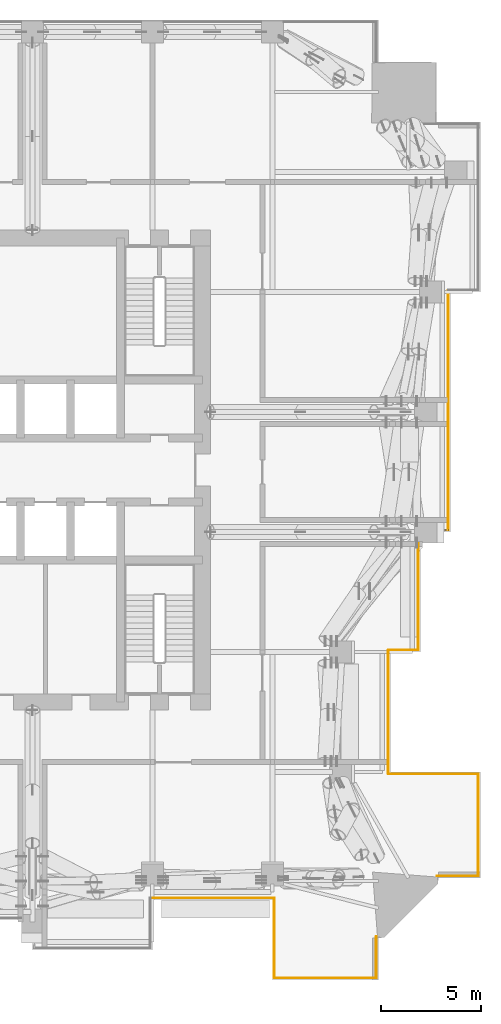
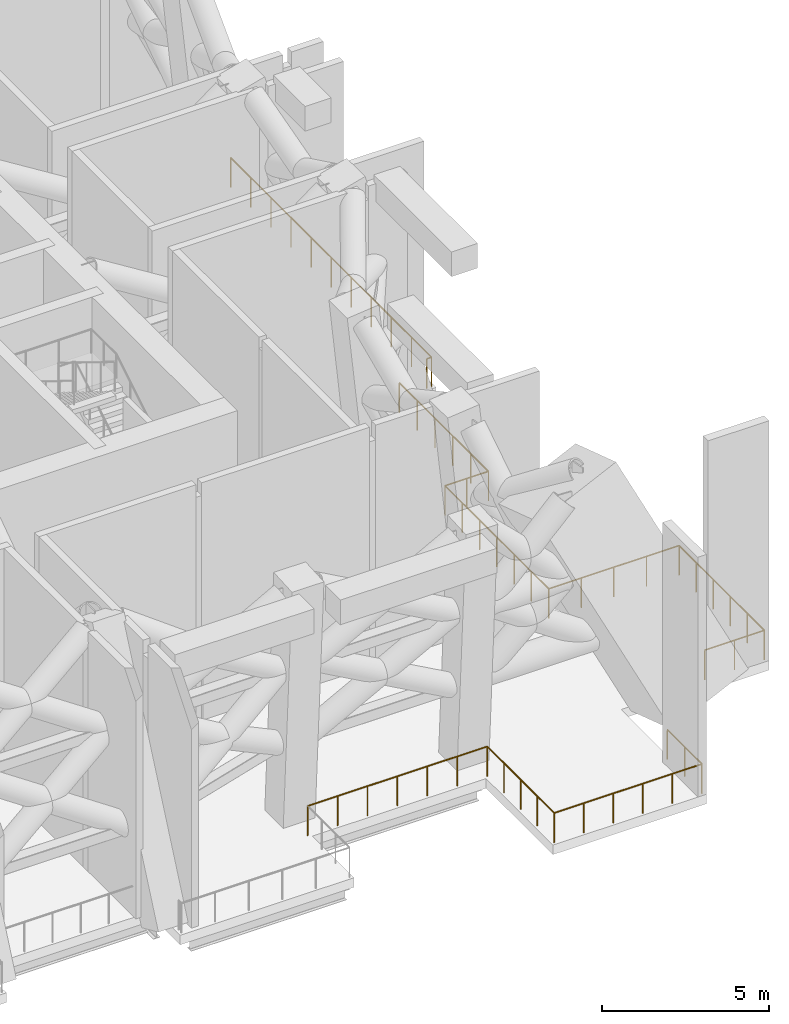
# One storey, part 17 of 19: 12 railings.
"""IFC4 building model written with IfcOpenShell, lengths in metres."""

from ifc_helpers import new_model, si_unit, direction, frame, origin, origin_2d, place, context, subcontext, project, spatial, circle, extrude, material, type_object, element, save


model = new_model("IFC4")

# Units and contexts
model_context = context("Model", 3, precision=1e-05, world=origin(), true_north=direction((0.0, 1.0)))
body_context = subcontext(model_context, "Body", "Model", "MODEL_VIEW")
ifc_project = project(units=[si_unit("LENGTHUNIT", "METRE"), si_unit("AREAUNIT", "SQUARE_METRE"), si_unit("VOLUMEUNIT", "CUBIC_METRE"), si_unit("PLANEANGLEUNIT", "RADIAN"), si_unit("MASSUNIT", "GRAM", prefix="KILO")], contexts=[model_context])

# Site, building, storey
site_placement = place(None, origin())
site = spatial("IfcSite", under=ifc_project, at=site_placement, CompositionType="ELEMENT")
building_placement = place(site_placement, origin())
building = spatial("IfcBuilding", under=site, at=building_placement, Name="Amberfall Residences", CompositionType="ELEMENT")
storey_placement = place(building_placement, frame((0.0, 0.0, 124.89990234375)))
storey = spatial("IfcBuildingStorey", under=building, at=storey_placement, Name="L34", CompositionType="ELEMENT", Elevation=124.89990234375)

# Railings
ifc_material = material(Name="Bronze anodised aluminium and laminated glass", Category="aluminium")
railing_type = type_object("IfcRailingType", Name="Refuge edge guard 1100", PredefinedType="GUARDRAIL", material=ifc_material)
railing_1_placement = place(storey_placement, frame((94.800048828125, 20.10009765625, 0.0)))
element("IfcRailing", 1, at=railing_1_placement, inside=storey, type_object=railing_type, Name="Refuge edge guard L34 1", PredefinedType="GUARDRAIL", context=body_context, shape_type="SweptSolid", body=[
    extrude(circle(Radius=0.02392578125, at=origin_2d()), frame((0.0, 0.0, 1.076171875), z_axis=(-1.0, 0.0, 0.0), x_axis=(0.0, -1.0, 0.0)), (0.0, 0.0, 1.0), 5.10009765625),
    extrude(circle(Radius=0.02099609375, at=origin_2d()), origin(), (0.0, 0.0, 1.0), 1.052001953125),
    extrude(circle(Radius=0.02099609375, at=origin_2d()), frame((-1.02001953125, 0.0, 0.0)), (0.0, 0.0, 1.0), 1.052001953125),
    extrude(circle(Radius=0.02099609375, at=origin_2d()), frame((-2.0400390625, 0.0, 0.0)), (0.0, 0.0, 1.0), 1.052001953125),
    extrude(circle(Radius=0.02099609375, at=origin_2d()), frame((-3.06005859375, 0.0, 0.0)), (0.0, 0.0, 1.0), 1.052001953125),
    extrude(circle(Radius=0.02099609375, at=origin_2d()), frame((-4.080078125, 0.0, 0.0)), (0.0, 0.0, 1.0), 1.052001953125),
    extrude(circle(Radius=0.02099609375, at=origin_2d()), frame((-5.10009765625, 0.0, 0.0)), (0.0, 0.0, 1.0), 1.052001953125),
])
railing_2_placement = place(storey_placement, frame((89.699951171875, 20.10009765625, 0.0)))
element("IfcRailing", 2, at=railing_2_placement, inside=storey, type_object=railing_type, Name="Refuge edge guard L34 2", PredefinedType="GUARDRAIL", context=body_context, shape_type="SweptSolid", body=[
    extrude(circle(Radius=0.02392578125, at=origin_2d()), frame((0.0, 0.0, 1.076171875), z_axis=(0.0, 1.0, 0.0), x_axis=(-1.0, 0.0, 0.0)), (0.0, 0.0, 1.0), 4.0),
    extrude(circle(Radius=0.02099609375, at=origin_2d()), origin(), (0.0, 0.0, 1.0), 1.052001953125),
    extrude(circle(Radius=0.02099609375, at=origin_2d()), frame((0.0, 1.0, 0.0)), (0.0, 0.0, 1.0), 1.052001953125),
    extrude(circle(Radius=0.02099609375, at=origin_2d()), frame((0.0, 2.0, 0.0)), (0.0, 0.0, 1.0), 1.052001953125),
    extrude(circle(Radius=0.02099609375, at=origin_2d()), frame((0.0, 3.0, 0.0)), (0.0, 0.0, 1.0), 1.052001953125),
    extrude(circle(Radius=0.02099609375, at=origin_2d()), frame((0.0, 4.0, 0.0)), (0.0, 0.0, 1.0), 1.052001953125),
])
railing_3_placement = place(storey_placement, frame((89.699951171875, 24.10009765625, 0.0)))
element("IfcRailing", 3, at=railing_3_placement, inside=storey, type_object=railing_type, Name="Refuge edge guard L34 3", PredefinedType="GUARDRAIL", context=body_context, shape_type="SweptSolid", body=[
    extrude(circle(Radius=0.02392578125, at=origin_2d()), frame((0.0, 0.0, 1.076171875), z_axis=(-1.0, 0.0, 0.0), x_axis=(0.0, -1.0, 0.0)), (0.0, 0.0, 1.0), 6.199951171875),
    extrude(circle(Radius=0.02099609375, at=origin_2d()), origin(), (0.0, 0.0, 1.0), 1.052001953125),
    extrude(circle(Radius=0.02099609375, at=origin_2d()), frame((-1.033203125, 0.0, 0.0)), (0.0, 0.0, 1.0), 1.052001953125),
    extrude(circle(Radius=0.02099609375, at=origin_2d()), frame((-2.066650390625, 0.0, 0.0)), (0.0, 0.0, 1.0), 1.052001953125),
    extrude(circle(Radius=0.02099609375, at=origin_2d()), frame((-3.10009765625, 0.0, 0.0)), (0.0, 0.0, 1.0), 1.052001953125),
    extrude(circle(Radius=0.02099609375, at=origin_2d()), frame((-4.13330078125, 0.0, 0.0)), (0.0, 0.0, 1.0), 1.052001953125),
    extrude(circle(Radius=0.02099609375, at=origin_2d()), frame((-5.16650390625, 0.0, 0.0)), (0.0, 0.0, 1.0), 1.052001953125),
    extrude(circle(Radius=0.02099609375, at=origin_2d()), frame((-6.199951171875, 0.0, 0.0)), (0.0, 0.0, 1.0), 1.052001953125),
])
railing_4_placement = place(storey_placement, frame((98.39990234375, 54.5, 0.0)))
element("IfcRailing", 4, at=railing_4_placement, inside=storey, type_object=railing_type, Name="Refuge edge guard L34 34", PredefinedType="GUARDRAIL", context=body_context, shape_type="SweptSolid", body=[
    extrude(circle(Radius=0.02392578125, at=origin_2d()), frame((0.0, 0.0, 1.076171875), z_axis=(0.0, -1.0, 0.0), x_axis=(1.0, 0.0, 0.0)), (0.0, 0.0, 1.0), 12.0),
    extrude(circle(Radius=0.02099609375, at=origin_2d()), origin(), (0.0, 0.0, 1.0), 1.052001953125),
    extrude(circle(Radius=0.02099609375, at=origin_2d()), frame((0.0, -1.199951171875, 0.0)), (0.0, 0.0, 1.0), 1.052001953125),
    extrude(circle(Radius=0.02099609375, at=origin_2d()), frame((0.0, -2.39990234375, 0.0)), (0.0, 0.0, 1.0), 1.052001953125),
    extrude(circle(Radius=0.02099609375, at=origin_2d()), frame((0.0, -3.60009765625, 0.0)), (0.0, 0.0, 1.0), 1.052001953125),
    extrude(circle(Radius=0.02099609375, at=origin_2d()), frame((0.0, -4.800048828125, 0.0)), (0.0, 0.0, 1.0), 1.052001953125),
    extrude(circle(Radius=0.02099609375, at=origin_2d()), frame((0.0, -6.0, 0.0)), (0.0, 0.0, 1.0), 1.052001953125),
    extrude(circle(Radius=0.02099609375, at=origin_2d()), frame((0.0, -7.199951171875, 0.0)), (0.0, 0.0, 1.0), 1.052001953125),
    extrude(circle(Radius=0.02099609375, at=origin_2d()), frame((0.0, -8.39990234375, 0.0)), (0.0, 0.0, 1.0), 1.052001953125),
    extrude(circle(Radius=0.02099609375, at=origin_2d()), frame((0.0, -9.60009765625, 0.0)), (0.0, 0.0, 1.0), 1.052001953125),
    extrude(circle(Radius=0.02099609375, at=origin_2d()), frame((0.0, -10.800048828125, 0.0)), (0.0, 0.0, 1.0), 1.052001953125),
    extrude(circle(Radius=0.02099609375, at=origin_2d()), frame((0.0, -12.0, 0.0)), (0.0, 0.0, 1.0), 1.052001953125),
])
railing_5_placement = place(storey_placement, frame((98.39990234375, 42.5, 0.0)))
element("IfcRailing", 5, at=railing_5_placement, inside=storey, type_object=railing_type, Name="Refuge edge guard L34 35", PredefinedType="GUARDRAIL", context=body_context, shape_type="SweptSolid", body=[
    extrude(circle(Radius=0.02392578125, at=origin_2d()), frame((0.0, 0.0, 1.076171875), z_axis=(-1.0, 0.0, 0.0), x_axis=(0.0, -1.0, 0.0)), (0.0, 0.0, 1.0), 0.169921875),
    extrude(circle(Radius=0.02099609375, at=origin_2d()), origin(), (0.0, 0.0, 1.0), 1.052001953125),
    extrude(circle(Radius=0.02099609375, at=origin_2d()), frame((-0.169921875, 0.0, 0.0)), (0.0, 0.0, 1.0), 1.052001953125),
])
railing_6_placement = place(storey_placement, frame((96.89990234375, 41.82421875, 0.0)))
element("IfcRailing", 6, at=railing_6_placement, inside=storey, type_object=railing_type, Name="Refuge edge guard L34 36", PredefinedType="GUARDRAIL", context=body_context, shape_type="SweptSolid", body=[
    extrude(circle(Radius=0.02392578125, at=origin_2d()), frame((0.0, 0.0, 1.076171875), z_axis=(0.0, -1.0, 0.0), x_axis=(1.0, 0.0, 0.0)), (0.0, 0.0, 1.0), 5.32421875),
    extrude(circle(Radius=0.02099609375, at=origin_2d()), origin(), (0.0, 0.0, 1.0), 1.052001953125),
    extrude(circle(Radius=0.02099609375, at=origin_2d()), frame((0.0, -1.06494140625, 0.0)), (0.0, 0.0, 1.0), 1.052001953125),
    extrude(circle(Radius=0.02099609375, at=origin_2d()), frame((0.0, -2.129638671875, 0.0)), (0.0, 0.0, 1.0), 1.052001953125),
    extrude(circle(Radius=0.02099609375, at=origin_2d()), frame((0.0, -3.194580078125, 0.0)), (0.0, 0.0, 1.0), 1.052001953125),
    extrude(circle(Radius=0.02099609375, at=origin_2d()), frame((0.0, -4.25927734375, 0.0)), (0.0, 0.0, 1.0), 1.052001953125),
    extrude(circle(Radius=0.02099609375, at=origin_2d()), frame((0.0, -5.32421875, 0.0)), (0.0, 0.0, 1.0), 1.052001953125),
])
railing_7_placement = place(storey_placement, frame((96.89990234375, 36.5, 0.0)))
element("IfcRailing", 7, at=railing_7_placement, inside=storey, type_object=railing_type, Name="Refuge edge guard L34 37", PredefinedType="GUARDRAIL", context=body_context, shape_type="SweptSolid", body=[
    extrude(circle(Radius=0.02392578125, at=origin_2d()), frame((0.0, 0.0, 1.076171875), z_axis=(-1.0, 0.0, 0.0), x_axis=(0.0, -1.0, 0.0)), (0.0, 0.0, 1.0), 1.5),
    extrude(circle(Radius=0.02099609375, at=origin_2d()), origin(), (0.0, 0.0, 1.0), 1.052001953125),
    extrude(circle(Radius=0.02099609375, at=origin_2d()), frame((-0.75, 0.0, 0.0)), (0.0, 0.0, 1.0), 1.052001953125),
    extrude(circle(Radius=0.02099609375, at=origin_2d()), frame((-1.5, 0.0, 0.0)), (0.0, 0.0, 1.0), 1.052001953125),
])
railing_8_placement = place(storey_placement, frame((95.39990234375, 36.5, 0.0)))
element("IfcRailing", 8, at=railing_8_placement, inside=storey, type_object=railing_type, Name="Refuge edge guard L34 38", PredefinedType="GUARDRAIL", context=body_context, shape_type="SweptSolid", body=[
    extrude(circle(Radius=0.02392578125, at=origin_2d()), frame((0.0, 0.0, 1.076171875), z_axis=(0.0, -1.0, 0.0), x_axis=(1.0, 0.0, 0.0)), (0.0, 0.0, 1.0), 6.199951171875),
    extrude(circle(Radius=0.02099609375, at=origin_2d()), origin(), (0.0, 0.0, 1.0), 1.052001953125),
    extrude(circle(Radius=0.02099609375, at=origin_2d()), frame((0.0, -1.033203125, 0.0)), (0.0, 0.0, 1.0), 1.052001953125),
    extrude(circle(Radius=0.02099609375, at=origin_2d()), frame((0.0, -2.066650390625, 0.0)), (0.0, 0.0, 1.0), 1.052001953125),
    extrude(circle(Radius=0.02099609375, at=origin_2d()), frame((0.0, -3.10009765625, 0.0)), (0.0, 0.0, 1.0), 1.052001953125),
    extrude(circle(Radius=0.02099609375, at=origin_2d()), frame((0.0, -4.13330078125, 0.0)), (0.0, 0.0, 1.0), 1.052001953125),
    extrude(circle(Radius=0.02099609375, at=origin_2d()), frame((0.0, -5.16650390625, 0.0)), (0.0, 0.0, 1.0), 1.052001953125),
    extrude(circle(Radius=0.02099609375, at=origin_2d()), frame((0.0, -6.199951171875, 0.0)), (0.0, 0.0, 1.0), 1.052001953125),
])
railing_9_placement = place(storey_placement, frame((95.39990234375, 30.300048828125, 0.0)))
element("IfcRailing", 9, at=railing_9_placement, inside=storey, type_object=railing_type, Name="Refuge edge guard L34 39", PredefinedType="GUARDRAIL", context=body_context, shape_type="SweptSolid", body=[
    extrude(circle(Radius=0.02392578125, at=origin_2d()), frame((0.0, 0.0, 1.076171875), z_axis=(1.0, 0.0, 0.0), x_axis=(0.0, 1.0, 0.0)), (0.0, 0.0, 1.0), 4.5),
    extrude(circle(Radius=0.02099609375, at=origin_2d()), origin(), (0.0, 0.0, 1.0), 1.052001953125),
    extrude(circle(Radius=0.02099609375, at=origin_2d()), frame((1.125, 0.0, 0.0)), (0.0, 0.0, 1.0), 1.052001953125),
    extrude(circle(Radius=0.02099609375, at=origin_2d()), frame((2.25, 0.0, 0.0)), (0.0, 0.0, 1.0), 1.052001953125),
    extrude(circle(Radius=0.02099609375, at=origin_2d()), frame((3.375, 0.0, 0.0)), (0.0, 0.0, 1.0), 1.052001953125),
    extrude(circle(Radius=0.02099609375, at=origin_2d()), frame((4.5, 0.0, 0.0)), (0.0, 0.0, 1.0), 1.052001953125),
])
railing_10_placement = place(storey_placement, frame((99.89990234375, 30.300048828125, 0.0)))
element("IfcRailing", 10, at=railing_10_placement, inside=storey, type_object=railing_type, Name="Refuge edge guard L34 40", PredefinedType="GUARDRAIL", context=body_context, shape_type="SweptSolid", body=[
    extrude(circle(Radius=0.02392578125, at=origin_2d()), frame((0.0, 0.0, 1.076171875), z_axis=(0.0, -1.0, 0.0), x_axis=(1.0, 0.0, 0.0)), (0.0, 0.0, 1.0), 5.10009765625),
    extrude(circle(Radius=0.02099609375, at=origin_2d()), origin(), (0.0, 0.0, 1.0), 1.052001953125),
    extrude(circle(Radius=0.02099609375, at=origin_2d()), frame((0.0, -1.02001953125, 0.0)), (0.0, 0.0, 1.0), 1.052001953125),
    extrude(circle(Radius=0.02099609375, at=origin_2d()), frame((0.0, -2.0400390625, 0.0)), (0.0, 0.0, 1.0), 1.052001953125),
    extrude(circle(Radius=0.02099609375, at=origin_2d()), frame((0.0, -3.06005859375, 0.0)), (0.0, 0.0, 1.0), 1.052001953125),
    extrude(circle(Radius=0.02099609375, at=origin_2d()), frame((0.0, -4.080078125, 0.0)), (0.0, 0.0, 1.0), 1.052001953125),
    extrude(circle(Radius=0.02099609375, at=origin_2d()), frame((0.0, -5.10009765625, 0.0)), (0.0, 0.0, 1.0), 1.052001953125),
])
railing_11_placement = place(storey_placement, frame((99.89990234375, 25.199951171875, 0.0)))
element("IfcRailing", 11, at=railing_11_placement, inside=storey, type_object=railing_type, Name="Refuge edge guard L34 41", PredefinedType="GUARDRAIL", context=body_context, shape_type="SweptSolid", body=[
    extrude(circle(Radius=0.02392578125, at=origin_2d()), frame((0.0, 0.0, 1.076171875), z_axis=(-1.0, 0.0, 0.0), x_axis=(0.0, -1.0, 0.0)), (0.0, 0.0, 1.0), 2.06298828125),
    extrude(circle(Radius=0.02099609375, at=origin_2d()), origin(), (0.0, 0.0, 1.0), 1.052001953125),
    extrude(circle(Radius=0.02099609375, at=origin_2d()), frame((-1.031494140625, 0.0, 0.0)), (0.0, 0.0, 1.0), 1.052001953125),
    extrude(circle(Radius=0.02099609375, at=origin_2d()), frame((-2.06298828125, 0.0, 0.0)), (0.0, 0.0, 1.0), 1.052001953125),
])
railing_12_placement = place(storey_placement, frame((94.800048828125, 22.1630859375, 0.0)))
element("IfcRailing", 12, at=railing_12_placement, inside=storey, type_object=railing_type, Name="Refuge edge guard L34 42", PredefinedType="GUARDRAIL", context=body_context, shape_type="SweptSolid", body=[
    extrude(circle(Radius=0.02392578125, at=origin_2d()), frame((0.0, 0.0, 1.076171875), z_axis=(0.0, -1.0, 0.0), x_axis=(1.0, 0.0, 0.0)), (0.0, 0.0, 1.0), 2.06298828125),
    extrude(circle(Radius=0.02099609375, at=origin_2d()), origin(), (0.0, 0.0, 1.0), 1.052001953125),
    extrude(circle(Radius=0.02099609375, at=origin_2d()), frame((0.0, -1.031494140625, 0.0)), (0.0, 0.0, 1.0), 1.052001953125),
    extrude(circle(Radius=0.02099609375, at=origin_2d()), frame((0.0, -2.06298828125, 0.0)), (0.0, 0.0, 1.0), 1.052001953125),
])

save(model, "model.ifc")
